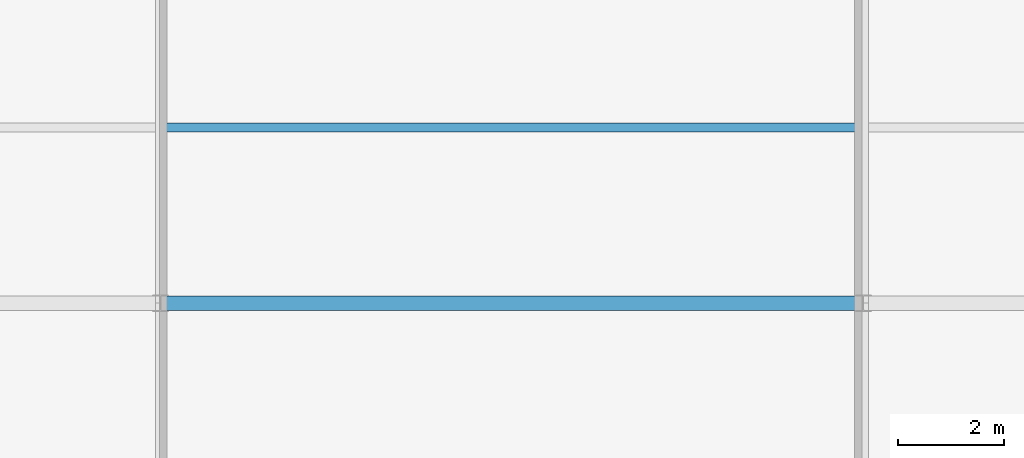
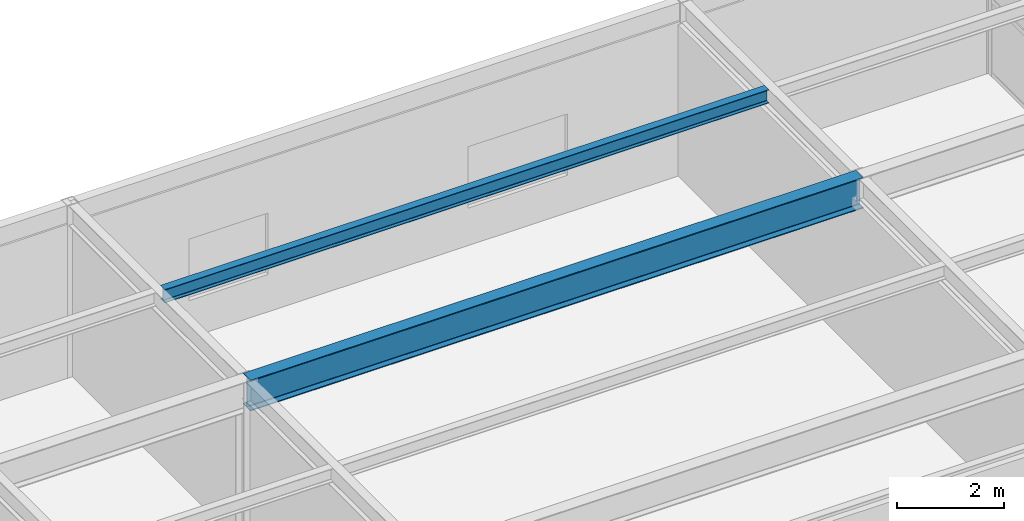
# One storey, part 79 of 157: 2 beams.
"""IFC4 building model written with IfcOpenShell, lengths in metres."""

from ifc_helpers import new_model, si_unit, direction, frame, origin, origin_2d, place, context, subcontext, project, spatial, i_section, extrude, material, material_profile, profile_set, type_object, element, save


model = new_model("IFC4")

# Units and contexts
model_context = context("Model", 3, precision=1e-05, world=origin(), true_north=direction((0.0, 1.0)))
body_context = subcontext(model_context, "Body", "Model", "MODEL_VIEW")
ifc_project = project(units=[si_unit("LENGTHUNIT", "METRE"), si_unit("AREAUNIT", "SQUARE_METRE"), si_unit("VOLUMEUNIT", "CUBIC_METRE"), si_unit("PLANEANGLEUNIT", "RADIAN"), si_unit("MASSUNIT", "GRAM", prefix="KILO")], contexts=[model_context])

# Site, building, storey
site_placement = place(None, origin())
site = spatial("IfcSite", under=ifc_project, at=site_placement, CompositionType="ELEMENT")
building_placement = place(site_placement, origin())
building = spatial("IfcBuilding", under=site, at=building_placement, Name="Karori Crest Natural Sciences Institute", CompositionType="ELEMENT")
storey_placement = place(building_placement, frame((0.0, 0.0, 13.300048828125)))
storey = spatial("IfcBuildingStorey", under=building, at=storey_placement, Name="L03", CompositionType="ELEMENT", Elevation=13.300048828125)

# Beams
ifc_material = material(Name="Structural steel AS/NZS 3679.1 Grade 350", Category="steel")
ifc_material_profile_1 = material_profile(ifc_material, i_section(OverallWidth=0.27490234375, OverallDepth=0.699951171875, WebThickness=0.010009765625, FlangeThickness=0.02001953125, FilletRadius=0.013916015625, at=origin_2d()), Name="700WB150")
ifc_profile_set_1 = profile_set([ifc_material_profile_1], Name="Structural steel AS/NZS 3679.1 Grade 350")
beam_type_1 = type_object("IfcBeamType", Name="BT-03", PredefinedType="BEAM", material=ifc_profile_set_1)
beam_1_placement = place(storey_placement, frame((7.39990234375, 66.800048828125, 3.570068359375), z_axis=(1.0, 0.0, 0.0), x_axis=(0.0, 1.0, 0.0)))
element("IfcBeam", 1, at=beam_1_placement, inside=storey, type_object=beam_type_1, Name="Beam B-1156", PredefinedType="BEAM", context=body_context, shape_type="SweptSolid", body=[
    extrude(i_section(OverallWidth=0.27490234375, OverallDepth=0.699951171875, WebThickness=0.010009765625, FlangeThickness=0.02001953125, FilletRadius=0.013916015625, at=origin_2d()), origin(), (0.0, 0.0, 1.0), 13.2001953125),
])
ifc_material_profile_2 = material_profile(ifc_material, i_section(OverallWidth=0.166015625, OverallDepth=0.306884765625, WebThickness=0.006591796875, FlangeThickness=0.01171875, FilletRadius=0.010986328125, at=origin_2d()), Name="310UB46.2")
ifc_profile_set_2 = profile_set([ifc_material_profile_2], Name="Structural steel AS/NZS 3679.1 Grade 350")
beam_type_2 = type_object("IfcBeamType", Name="BT-09", PredefinedType="BEAM", material=ifc_profile_set_2)
beam_2_placement = place(storey_placement, frame((7.49560546875, 70.10009765625, 3.766357421875), z_axis=(1.0, 0.0, 0.0), x_axis=(0.0, 1.0, 0.0)))
element("IfcBeam", 2, at=beam_2_placement, inside=storey, type_object=beam_type_2, Name="Beam B-1200", PredefinedType="BEAM", context=body_context, shape_type="SweptSolid", body=[
    extrude(i_section(OverallWidth=0.166015625, OverallDepth=0.306884765625, WebThickness=0.006591796875, FlangeThickness=0.01171875, FilletRadius=0.010986328125, at=origin_2d()), origin(), (0.0, 0.0, 1.0), 13.0087890625),
])

save(model, "model.ifc")
